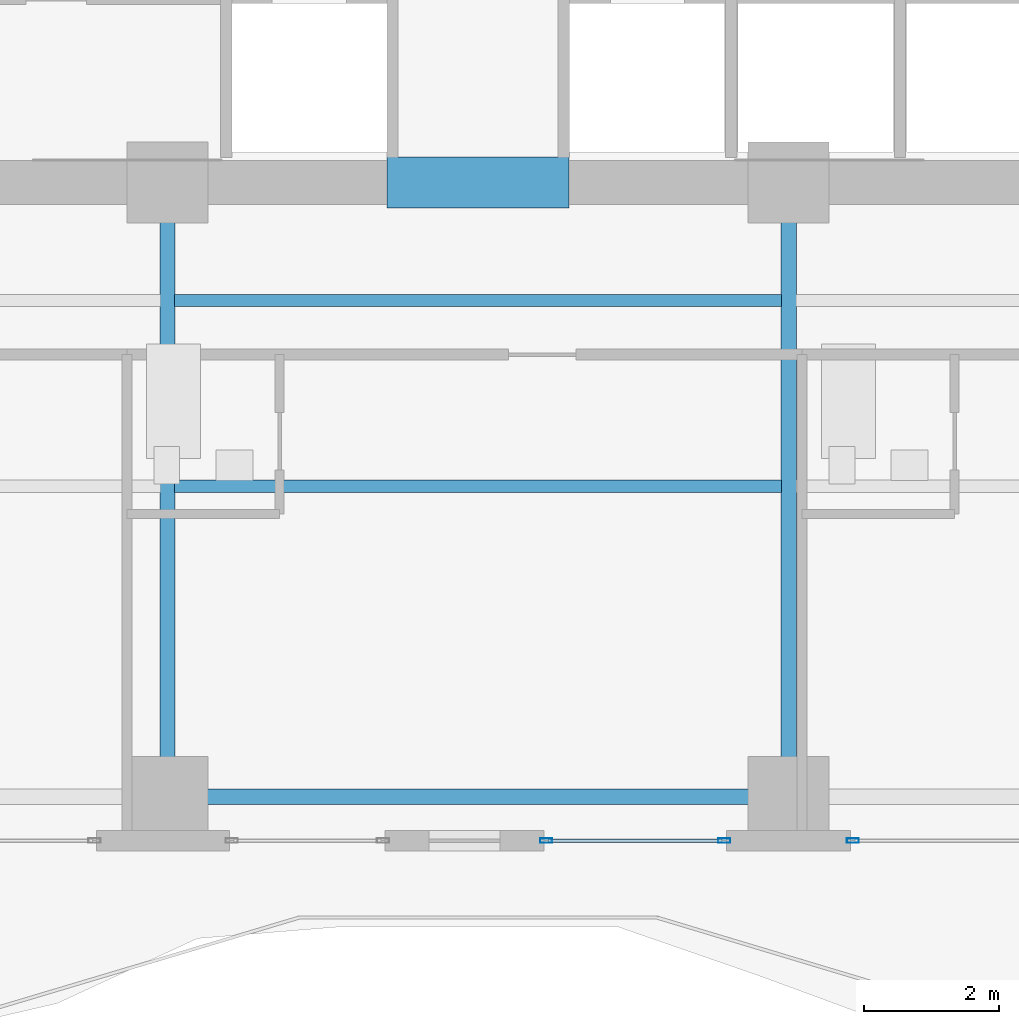
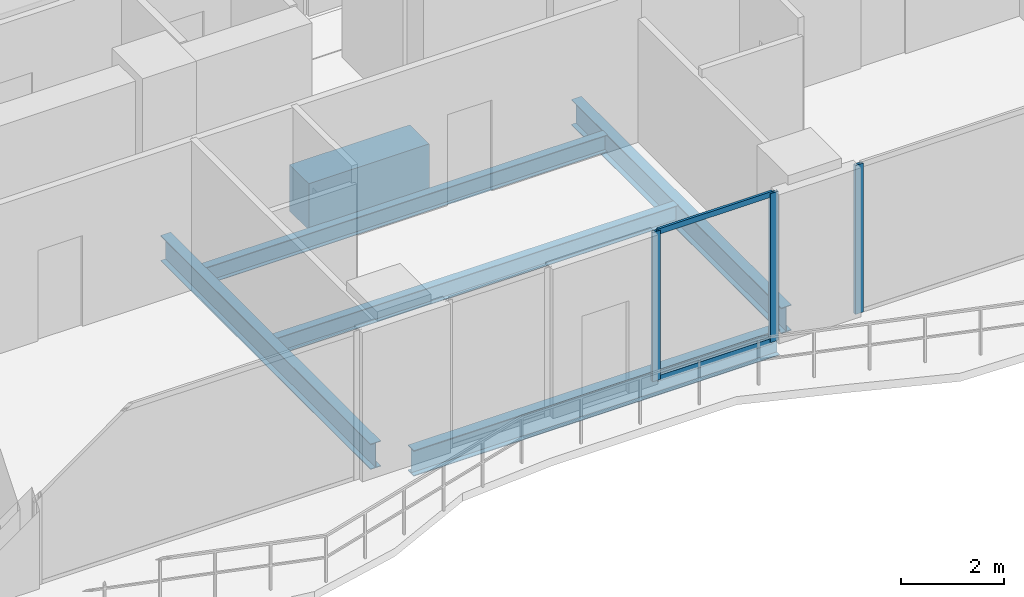
# One storey, part 6 of 32: 6 beams, 5 members, 2 elements without a shape of their own.
"""IFC4 building model written with IfcOpenShell, lengths in metres."""

from ifc_helpers import new_model, si_unit, direction, frame, origin, origin_2d, place, context, subcontext, project, spatial, rectangle, hollow_rectangle, i_section, extrude, material, layer, layer_set, material_profile, profile_set, type_object, element, aggregate, save


model = new_model("IFC4")

# Units and contexts
model_context = context("Model", 3, precision=1e-05, world=origin(), true_north=direction((0.0, 1.0)))
body_context = subcontext(model_context, "Body", "Model", "MODEL_VIEW")
ifc_project = project(units=[si_unit("LENGTHUNIT", "METRE"), si_unit("AREAUNIT", "SQUARE_METRE"), si_unit("VOLUMEUNIT", "CUBIC_METRE"), si_unit("PLANEANGLEUNIT", "RADIAN"), si_unit("MASSUNIT", "GRAM", prefix="KILO")], contexts=[model_context])

# Site, building, storey
site_placement = place(None, origin())
site = spatial("IfcSite", under=ifc_project, at=site_placement, CompositionType="ELEMENT")
building_placement = place(site_placement, origin())
building = spatial("IfcBuilding", under=site, at=building_placement, Name="Zuhayl Quay Hotel", CompositionType="ELEMENT")
storey_placement = place(building_placement, frame((0.0, 0.0, 184.89990234375)))
storey = spatial("IfcBuildingStorey", under=building, at=storey_placement, Name="L46", CompositionType="ELEMENT", Elevation=184.89990234375)

# Beams
ifc_material_1 = material(Name="Steel ASTM A992 Grade 50", Category="steel")
ifc_material_profile_1 = material_profile(ifc_material_1, i_section(OverallWidth=0.22802734375, OverallDepth=0.60693359375, WebThickness=0.01123046875, FlangeThickness=0.017333984375, at=origin_2d()), Name="W24X76")
ifc_profile_set_1 = profile_set([ifc_material_profile_1], Name="Steel ASTM A992 Grade 50")
beam_type_1 = type_object("IfcBeamType", Name="BM_B3_W24X76", PredefinedType="BEAM", material=ifc_profile_set_1)
beam_1_placement = place(storey_placement, frame((-4.10009765625, -6.949951171875, -0.5234375), z_axis=(1.0, 0.0, 0.0), x_axis=(0.0, 1.0, 0.0)))
element("IfcBeam", 1, at=beam_1_placement, inside=storey, type_object=beam_type_1, Name="L46 Floor Beam RG_L46_02", PredefinedType="BEAM", context=body_context, shape_type="SweptSolid", body=[
    extrude(i_section(OverallWidth=0.22802734375, OverallDepth=0.60693359375, WebThickness=0.01123046875, FlangeThickness=0.017333984375, at=origin_2d()), origin(), (0.0, 0.0, 1.0), 8.2001953125),
])
for number, where, z_axis, x_axis, name in (
    (2, (-4.60009765625, -6.449951171875, -0.5234375), (0.0, 1.0, 0.0), (-1.0, 0.0, 0.0), "L46 Floor Beam FG_S_L46_2"),
    (3, (4.60009765625, -6.449951171875, -0.5234375), (0.0, 1.0, 0.0), (-1.0, 0.0, 0.0), "L46 Floor Beam FG_S_L46_3"),
):
    element("IfcBeam", number, at=place(storey_placement, frame(where, z_axis=z_axis, x_axis=x_axis)), inside=storey, type_object=beam_type_1, Name=name, PredefinedType="BEAM", context=body_context, shape_type="SweptSolid", body=[
        extrude(i_section(OverallWidth=0.22802734375, OverallDepth=0.60693359375, WebThickness=0.01123046875, FlangeThickness=0.017333984375, at=origin_2d()), origin(), (0.0, 0.0, 1.0), 8.14990234375),
    ])
ifc_material_2 = material(Name="Concrete C60/75", Category="concrete")
ifc_material_profile_2 = material_profile(ifc_material_2, rectangle(XDim=0.75, YDim=1.10009765625, at=origin_2d()), Name="RC750X1100")
ifc_profile_set_2 = profile_set([ifc_material_profile_2], Name="Concrete C60/75")
beam_type_2 = type_object("IfcBeamType", Name="BM_CB2_RC750", PredefinedType="T_BEAM", material=ifc_profile_set_2)
beam_2_placement = place(storey_placement, frame((-1.35009765625, 2.14990234375, -0.77001953125), z_axis=(1.0, 0.0, 0.0), x_axis=(0.0, 1.0, 0.0)))
element("IfcBeam", 4, at=beam_2_placement, inside=storey, type_object=beam_type_2, Name="L46 Core Coupling Beam South", PredefinedType="T_BEAM", context=body_context, shape_type="SweptSolid", body=[
    extrude(rectangle(XDim=0.75, YDim=1.10009765625, at=origin_2d()), origin(), (0.0, 0.0, 1.0), 2.7001953125),
])
ifc_material_profile_3 = material_profile(ifc_material_1, i_section(OverallWidth=0.177978515625, OverallDepth=0.406005859375, WebThickness=0.0078125, FlangeThickness=0.0126953125, at=origin_2d()), Name="W16X40")
ifc_profile_set_3 = profile_set([ifc_material_profile_3], Name="Steel ASTM A992 Grade 50")
beam_type_3 = type_object("IfcBeamType", Name="BM_J2B_W16X40", PredefinedType="JOIST", material=ifc_profile_set_3)
for number, where, z_axis, x_axis, name in (
    (5, (-4.493896484375, -2.35009765625, -0.4228515625), (1.0, 0.0, 0.0), (0.0, 1.0, 0.0), "L46 Floor Beam FJ_L46_7_2"),
    (6, (-4.493896484375, 0.39990234375, -0.4228515625), (1.0, 0.0, 0.0), (0.0, 1.0, 0.0), "L46 Floor Beam FJ_L46_8_2"),
):
    element("IfcBeam", number, at=place(storey_placement, frame(where, z_axis=z_axis, x_axis=x_axis)), inside=storey, type_object=beam_type_3, Name=name, PredefinedType="JOIST", context=body_context, shape_type="SweptSolid", body=[
        extrude(i_section(OverallWidth=0.177978515625, OverallDepth=0.406005859375, WebThickness=0.0078125, FlangeThickness=0.0126953125, at=origin_2d()), origin(), (0.0, 0.0, 1.0), 8.98779296875),
    ])

# Curtain wall, member
ifc_material_3 = material(Name="Anodised Aluminium 6063-T6", Category="aluminium")
ifc_layer = layer(ifc_material_3, 0.175048828125, Name="Anodised Aluminium 6063-T6", Category="aluminium")
ifc_layer_set = layer_set([ifc_layer], Name="Anodised Aluminium 6063-T6")
curtain_wall_type = type_object("IfcCurtainWallType", Name="CW_SYS_Z3", PredefinedType="USERDEFINED", material=ifc_layer_set)
curtain_wall_1_placement = place(storey_placement, origin())
curtain_wall_1 = element("IfcCurtainWall", 7, at=curtain_wall_1_placement, inside=storey, type_object=curtain_wall_type, Name="L46 Curtain Wall ENV_L46_S_CW2", ObjectType="UNITISED CURTAIN WALL", PredefinedType="USERDEFINED")
ifc_material_4 = material(Name="Black-anodised aluminium 6063-T6", Category="aluminium")
ifc_material_profile_4 = material_profile(ifc_material_4, hollow_rectangle(XDim=0.06494140625, YDim=0.179931640625, WallThickness=0.00341796875, at=origin_2d()), Name="ALU180X65")
ifc_profile_set_4 = profile_set([ifc_material_profile_4], Name="Black-anodised aluminium 6063-T6")
member_type_1 = type_object("IfcMemberType", Name="MB_CW_MUL_180", PredefinedType="MULLION", material=ifc_profile_set_4)
member_1_placement = place(storey_placement, frame((5.552490234375, -7.60009765625, 0.0), z_axis=(0.0, 0.0, 1.0), x_axis=(0.0, -1.0, 0.0)))
member_1 = element("IfcMember", 8, at=member_1_placement, type_object=member_type_1, Name="CW-Z3 mullion 2", PredefinedType="MULLION", context=body_context, shape_type="SweptSolid", body=[
    extrude(hollow_rectangle(XDim=0.06494140625, YDim=0.179931640625, WallThickness=0.00341796875, at=origin_2d()), origin(), (0.0, 0.0, 1.0), 3.530029296875),
])
aggregate(curtain_wall_1, [member_1])

# Curtain wall, members
curtain_wall_2_placement = place(storey_placement, origin())
curtain_wall_2 = element("IfcCurtainWall", 9, at=curtain_wall_2_placement, inside=storey, type_object=curtain_wall_type, Name="L46 Curtain Wall ENV_L46_S_CW3", ObjectType="UNITISED CURTAIN WALL", PredefinedType="USERDEFINED")
member_2_placement = place(storey_placement, frame((3.6474609375, -7.60009765625, 0.0), z_axis=(0.0, 0.0, 1.0), x_axis=(0.0, -1.0, 0.0)))
member_2 = element("IfcMember", 10, at=member_2_placement, type_object=member_type_1, Name="CW-Z3 mullion 1", PredefinedType="MULLION", context=body_context, shape_type="SweptSolid", body=[
    extrude(hollow_rectangle(XDim=0.06494140625, YDim=0.179931640625, WallThickness=0.00341796875, at=origin_2d()), origin(), (0.0, 0.0, 1.0), 3.530029296875),
])
member_3_placement = place(storey_placement, frame((1.007568359375, -7.60009765625, 0.0), z_axis=(0.0, 0.0, 1.0), x_axis=(0.0, -1.0, 0.0)))
member_3 = element("IfcMember", 11, at=member_3_placement, type_object=member_type_1, Name="CW-Z3 mullion 2", PredefinedType="MULLION", context=body_context, shape_type="SweptSolid", body=[
    extrude(hollow_rectangle(XDim=0.06494140625, YDim=0.179931640625, WallThickness=0.00341796875, at=origin_2d()), origin(), (0.0, 0.0, 1.0), 3.530029296875),
])
ifc_material_profile_5 = material_profile(ifc_material_4, hollow_rectangle(XDim=0.054931640625, YDim=0.1298828125, WallThickness=0.0029296875, at=origin_2d()), Name="ALU130X55")
ifc_profile_set_5 = profile_set([ifc_material_profile_5], Name="Black-anodised aluminium 6063-T6")
member_type_2 = type_object("IfcMemberType", Name="MB_CW_TRN_130", PredefinedType="USERDEFINED", material=ifc_profile_set_5)
member_4_placement = place(storey_placement, frame((3.614990234375, -7.60009765625, 0.027587890625), z_axis=(-1.0, 0.0, 0.0), x_axis=(0.0, -1.0, 0.0)))
member_4 = element("IfcMember", 12, at=member_4_placement, type_object=member_type_2, Name="CW-Z3 transom 1.1", ObjectType="TRANSOM", PredefinedType="USERDEFINED", context=body_context, shape_type="SweptSolid", body=[
    extrude(hollow_rectangle(XDim=0.054931640625, YDim=0.1298828125, WallThickness=0.0029296875, at=origin_2d()), origin(), (0.0, 0.0, 1.0), 2.574951171875),
])
member_5_placement = place(storey_placement, frame((3.614990234375, -7.60009765625, 3.502685546875), z_axis=(-1.0, 0.0, 0.0), x_axis=(0.0, -1.0, 0.0)))
member_5 = element("IfcMember", 13, at=member_5_placement, type_object=member_type_2, Name="CW-Z3 transom 1.2", ObjectType="TRANSOM", PredefinedType="USERDEFINED", context=body_context, shape_type="SweptSolid", body=[
    extrude(hollow_rectangle(XDim=0.054931640625, YDim=0.1298828125, WallThickness=0.0029296875, at=origin_2d()), origin(), (0.0, 0.0, 1.0), 2.574951171875),
])
aggregate(curtain_wall_2, [member_2, member_3, member_4, member_5])

save(model, "model.ifc")
